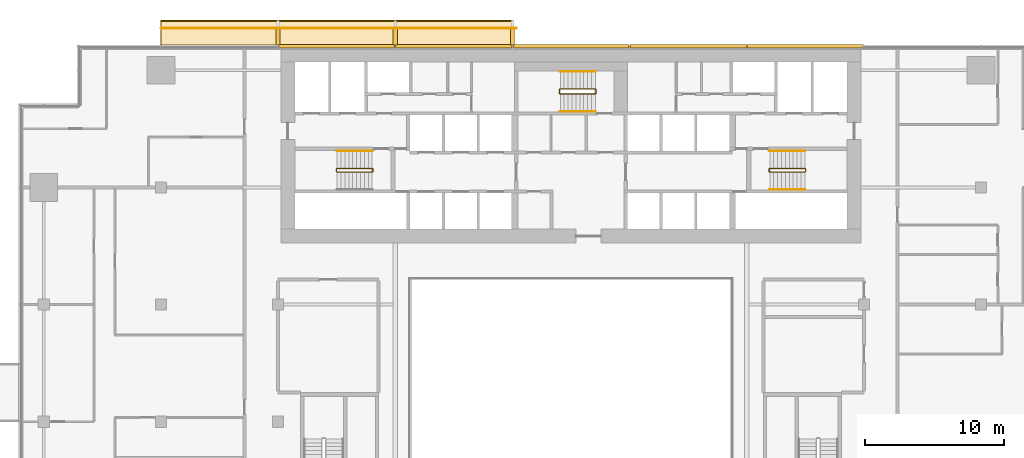
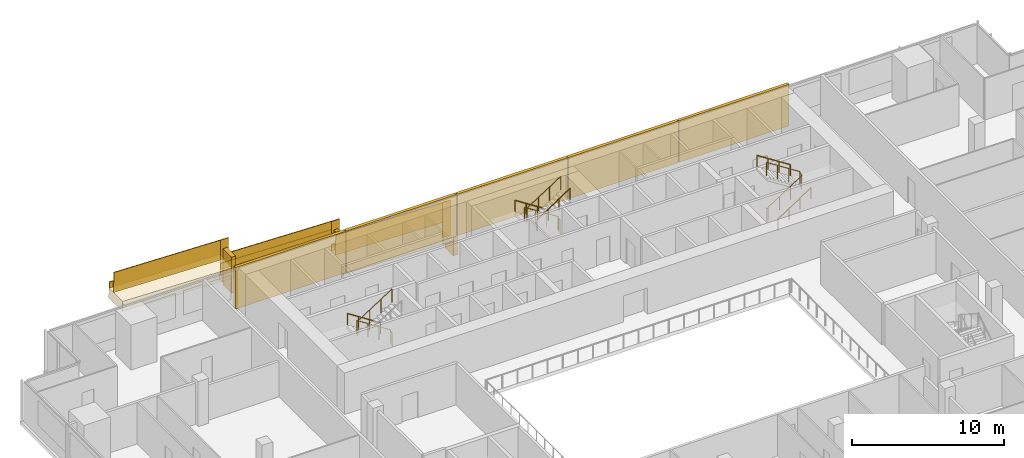
# One storey, part 26 of 27: 14 coverings, 14 railings.
"""IFC4 building model written with IfcOpenShell, lengths in metres."""

from ifc_helpers import new_model, si_unit, direction, frame, origin, origin_2d, place, context, subcontext, project, spatial, polyline, rectangle, circle, outline, extrude, material, layer, layer_set, type_object, element, save


model = new_model("IFC4")

# Units and contexts
model_context = context("Model", 3, precision=1e-05, world=origin(), true_north=direction((0.0, 1.0)))
body_context = subcontext(model_context, "Body", "Model", "MODEL_VIEW")
ifc_project = project(units=[si_unit("LENGTHUNIT", "METRE"), si_unit("AREAUNIT", "SQUARE_METRE"), si_unit("VOLUMEUNIT", "CUBIC_METRE"), si_unit("PLANEANGLEUNIT", "RADIAN"), si_unit("MASSUNIT", "GRAM", prefix="KILO")], contexts=[model_context])

# Site, building, storey
site_placement = place(None, origin())
site = spatial("IfcSite", under=ifc_project, at=site_placement, CompositionType="ELEMENT")
building_placement = place(site_placement, origin())
building = spatial("IfcBuilding", under=site, at=building_placement, Name="Saffron Gate Tower", CompositionType="ELEMENT")
storey_placement = place(building_placement, frame((0.0, 0.0, 124.050048828125)))
storey = spatial("IfcBuildingStorey", under=building, at=storey_placement, Name="L29", CompositionType="ELEMENT", Elevation=124.050048828125)

# Coverings
ifc_material_1 = material(Name="Ceramic-printed bronze insulated panel")
ifc_layer_1 = layer(ifc_material_1, 0.239990234375)
ifc_layer_set_1 = layer_set([ifc_layer_1], Name="CLD2 ceramic-printed cladding panel 240")
covering_type_1 = type_object("IfcCoveringType", Name="CLD2 ceramic-printed cladding panel 240", PredefinedType="CLADDING", material=ifc_layer_set_1)
covering_1_placement = place(storey_placement, origin())
element("IfcCovering", 1, at=covering_1_placement, inside=storey, type_object=covering_type_1, Name="CLADDING ceramic-printed panel", PredefinedType="CLADDING", context=body_context, shape_type="SweptSolid", body=[
    extrude(outline(polyline([(108.56494140625, 75.639892578125), (100.235107421875, 75.639892578125), (100.235107421875, 75.39990234375), (108.56494140625, 75.39990234375), (108.56494140625, 75.639892578125)])), origin(), (0.0, 0.0, 1.0), 3.320068359375),
])
covering_2_placement = place(storey_placement, origin())
element("IfcCovering", 2, at=covering_2_placement, inside=storey, type_object=covering_type_1, Name="CLADDING ceramic-printed panel", PredefinedType="CLADDING", context=body_context, shape_type="SweptSolid", body=[
    extrude(outline(polyline([(100.1650390625, 75.639892578125), (91.8349609375, 75.639892578125), (91.8349609375, 75.39990234375), (100.1650390625, 75.39990234375), (100.1650390625, 75.639892578125)])), origin(), (0.0, 0.0, 1.0), 3.320068359375),
])
covering_3_placement = place(storey_placement, origin())
element("IfcCovering", 3, at=covering_3_placement, inside=storey, type_object=covering_type_1, Name="CLADDING ceramic-printed panel", PredefinedType="CLADDING", context=body_context, shape_type="SweptSolid", body=[
    extrude(outline(polyline([(91.764892578125, 75.639892578125), (83.43505859375, 75.639892578125), (83.43505859375, 75.39990234375), (91.764892578125, 75.39990234375), (91.764892578125, 75.639892578125)])), origin(), (0.0, 0.0, 1.0), 3.320068359375),
])
covering_4_placement = place(storey_placement, origin())
element("IfcCovering", 4, at=covering_4_placement, inside=storey, type_object=covering_type_1, Name="CLADDING ceramic-printed panel", PredefinedType="CLADDING", context=body_context, shape_type="SweptSolid", body=[
    extrude(outline(polyline([(83.364990234375, 75.639892578125), (75.034912109375, 75.639892578125), (75.034912109375, 75.39990234375), (83.364990234375, 75.39990234375), (83.364990234375, 75.639892578125)])), origin(), (0.0, 0.0, 1.0), 3.320068359375),
])
covering_5_placement = place(storey_placement, origin())
element("IfcCovering", 5, at=covering_5_placement, inside=storey, type_object=covering_type_1, Name="CLADDING ceramic-printed panel", PredefinedType="CLADDING", context=body_context, shape_type="SweptSolid", body=[
    extrude(outline(polyline([(74.965087890625, 75.639892578125), (66.635009765625, 75.639892578125), (66.635009765625, 75.39990234375), (74.965087890625, 75.39990234375), (74.965087890625, 75.639892578125)])), origin(), (0.0, 0.0, 1.0), 3.320068359375),
])

# Railings
ifc_material_2 = material(Name="Stainless steel and laminated glass", Category="steel")
railing_type_1 = type_object("IfcRailingType", Name="CR1 Stair guard 1100", PredefinedType="GUARDRAIL", material=ifc_material_2)
railing_1_placement = place(storey_placement, frame((73.39990234375, 66.550048828125, 0.0)))
element("IfcRailing", 6, at=railing_1_placement, inside=storey, type_object=railing_type_1, Name="L29 ST-A stair guard 1", PredefinedType="GUARDRAIL", context=body_context, shape_type="SweptSolid", body=[
    extrude(circle(Radius=0.02392578125, at=origin_2d()), frame((0.0, 0.0, 1.076171875), z_axis=(0.0, 1.0, 0.0), x_axis=(-1.0, 0.0, 0.0)), (0.0, 0.0, 1.0), 0.14990234375),
    extrude(circle(Radius=0.02392578125, at=origin_2d()), frame((0.0, 0.14990234375, 1.076171875), z_axis=(-0.257669022063, 0.258932105505, 0.930892496375), x_axis=(-0.708833529934, -0.705375805398, 0.0)), (0.0, 0.0, 1.0), 0.193359375),
    extrude(circle(Radius=0.02392578125, at=origin_2d()), frame((-0.0498046875, 0.199951171875, 1.255859375), z_axis=(-0.841162588446, 0.0, 0.540782303519), x_axis=(0.0, -1.0, 0.0)), (0.0, 0.0, 1.0), 2.995849609375),
    extrude(circle(Radius=0.02392578125, at=origin_2d()), frame((-2.56982421875, 0.199951171875, 2.8759765625), z_axis=(-0.707106781187, -0.707106781187, 0.0), x_axis=(0.707106781187, -0.707106781187, 0.0)), (0.0, 0.0, 1.0), 0.07080078125),
    extrude(circle(Radius=0.02392578125, at=origin_2d()), frame((-2.619873046875, 0.14990234375, 2.8759765625), z_axis=(0.0, -1.0, 0.0), x_axis=(1.0, 0.0, 0.0)), (0.0, 0.0, 1.0), 0.14990234375),
    extrude(circle(Radius=0.02392578125, at=origin_2d()), frame((-2.619873046875, 0.0, 2.8759765625), z_axis=(0.258847668887, -0.258847668887, 0.930588936439), x_axis=(0.707106781187, 0.707106781187, 0.0)), (0.0, 0.0, 1.0), 0.193359375),
    extrude(circle(Radius=0.02392578125, at=origin_2d()), frame((-2.56982421875, -0.050048828125, 3.05615234375), z_axis=(0.841199657755, 0.0, 0.540724639528), x_axis=(0.0, 1.0, 0.0)), (0.0, 0.0, 1.0), 2.995849609375),
    extrude(circle(Radius=0.02099609375, at=origin_2d()), origin(), (0.0, 0.0, 1.0), 1.052001953125),
    extrude(circle(Radius=0.02099609375, at=origin_2d()), frame((0.0, 0.14990234375, 0.0)), (0.0, 0.0, 1.0), 1.052001953125),
    extrude(circle(Radius=0.02099609375, at=origin_2d()), frame((-0.0498046875, 0.199951171875, 0.179931640625)), (0.0, 0.0, 1.0), 1.052001953125),
    extrude(circle(Radius=0.02099609375, at=origin_2d()), frame((-0.889892578125, 0.199951171875, 0.719970703125)), (0.0, 0.0, 1.0), 1.052001953125),
    extrude(circle(Radius=0.02099609375, at=origin_2d()), frame((-1.729736328125, 0.199951171875, 1.260009765625)), (0.0, 0.0, 1.0), 1.052001953125),
    extrude(circle(Radius=0.02099609375, at=origin_2d()), frame((-2.56982421875, 0.199951171875, 1.800048828125)), (0.0, 0.0, 1.0), 1.052001953125),
    extrude(circle(Radius=0.02099609375, at=origin_2d()), frame((-2.619873046875, 0.14990234375, 1.800048828125)), (0.0, 0.0, 1.0), 1.052001953125),
    extrude(circle(Radius=0.02099609375, at=origin_2d()), frame((-2.619873046875, 0.0, 1.800048828125)), (0.0, 0.0, 1.0), 1.052001953125),
    extrude(circle(Radius=0.02099609375, at=origin_2d()), frame((-2.56982421875, -0.050048828125, 1.97998046875)), (0.0, 0.0, 1.0), 1.052001953125),
    extrude(circle(Radius=0.02099609375, at=origin_2d()), frame((-1.729736328125, -0.050048828125, 2.52001953125)), (0.0, 0.0, 1.0), 1.052001953125),
    extrude(circle(Radius=0.02099609375, at=origin_2d()), frame((-0.889892578125, -0.050048828125, 3.059814453125)), (0.0, 0.0, 1.0), 1.052001953125),
    extrude(circle(Radius=0.02099609375, at=origin_2d()), frame((-0.0498046875, -0.050048828125, 3.599853515625)), (0.0, 0.0, 1.0), 1.052001953125),
])
railing_2_placement = place(storey_placement, frame((101.800048828125, 66.699951171875, 0.0)))
element("IfcRailing", 7, at=railing_2_placement, inside=storey, type_object=railing_type_1, Name="L29 ST-B stair guard 1", PredefinedType="GUARDRAIL", context=body_context, shape_type="SweptSolid", body=[
    extrude(circle(Radius=0.02392578125, at=origin_2d()), frame((0.0, 0.0, 1.076171875), z_axis=(0.0, -1.0, 0.0), x_axis=(1.0, 0.0, 0.0)), (0.0, 0.0, 1.0), 0.14990234375),
    extrude(circle(Radius=0.02392578125, at=origin_2d()), frame((0.0, -0.14990234375, 1.076171875), z_axis=(0.258847668887, -0.258847668887, 0.930588936439), x_axis=(0.707106781187, 0.707106781187, 0.0)), (0.0, 0.0, 1.0), 0.193359375),
    extrude(circle(Radius=0.02392578125, at=origin_2d()), frame((0.050048828125, -0.199951171875, 1.255859375), z_axis=(0.841162588446, 0.0, 0.540782303519), x_axis=(0.0, 1.0, 0.0)), (0.0, 0.0, 1.0), 2.995849609375),
    extrude(circle(Radius=0.02392578125, at=origin_2d()), frame((2.570068359375, -0.199951171875, 2.8759765625), z_axis=(0.705375805398, 0.708833529934, 0.0), x_axis=(-0.708833529934, 0.705375805398, 0.0)), (0.0, 0.0, 1.0), 0.070556640625),
    extrude(circle(Radius=0.02392578125, at=origin_2d()), frame((2.619873046875, -0.14990234375, 2.8759765625), z_axis=(0.0, 1.0, 0.0), x_axis=(-1.0, 0.0, 0.0)), (0.0, 0.0, 1.0), 0.14990234375),
    extrude(circle(Radius=0.02392578125, at=origin_2d()), frame((2.619873046875, 0.0, 2.8759765625), z_axis=(-0.257669022063, 0.258932105505, 0.930892496375), x_axis=(-0.708833529934, -0.705375805398, 0.0)), (0.0, 0.0, 1.0), 0.193359375),
    extrude(circle(Radius=0.02392578125, at=origin_2d()), frame((2.570068359375, 0.050048828125, 3.05615234375), z_axis=(-0.841199657755, 0.0, 0.540724639528), x_axis=(0.0, -1.0, 0.0)), (0.0, 0.0, 1.0), 2.995849609375),
    extrude(circle(Radius=0.02099609375, at=origin_2d()), origin(), (0.0, 0.0, 1.0), 1.052001953125),
    extrude(circle(Radius=0.02099609375, at=origin_2d()), frame((0.0, -0.14990234375, 0.0)), (0.0, 0.0, 1.0), 1.052001953125),
    extrude(circle(Radius=0.02099609375, at=origin_2d()), frame((0.050048828125, -0.199951171875, 0.179931640625)), (0.0, 0.0, 1.0), 1.052001953125),
    extrude(circle(Radius=0.02099609375, at=origin_2d()), frame((0.89013671875, -0.199951171875, 0.719970703125)), (0.0, 0.0, 1.0), 1.052001953125),
    extrude(circle(Radius=0.02099609375, at=origin_2d()), frame((1.72998046875, -0.199951171875, 1.260009765625)), (0.0, 0.0, 1.0), 1.052001953125),
    extrude(circle(Radius=0.02099609375, at=origin_2d()), frame((2.570068359375, -0.199951171875, 1.800048828125)), (0.0, 0.0, 1.0), 1.052001953125),
    extrude(circle(Radius=0.02099609375, at=origin_2d()), frame((2.619873046875, -0.14990234375, 1.800048828125)), (0.0, 0.0, 1.0), 1.052001953125),
    extrude(circle(Radius=0.02099609375, at=origin_2d()), frame((2.619873046875, 0.0, 1.800048828125)), (0.0, 0.0, 1.0), 1.052001953125),
    extrude(circle(Radius=0.02099609375, at=origin_2d()), frame((2.570068359375, 0.050048828125, 1.97998046875)), (0.0, 0.0, 1.0), 1.052001953125),
    extrude(circle(Radius=0.02099609375, at=origin_2d()), frame((1.72998046875, 0.050048828125, 2.52001953125)), (0.0, 0.0, 1.0), 1.052001953125),
    extrude(circle(Radius=0.02099609375, at=origin_2d()), frame((0.89013671875, 0.050048828125, 3.059814453125)), (0.0, 0.0, 1.0), 1.052001953125),
    extrude(circle(Radius=0.02099609375, at=origin_2d()), frame((0.050048828125, 0.050048828125, 3.599853515625)), (0.0, 0.0, 1.0), 1.052001953125),
])
railing_3_placement = place(storey_placement, frame((89.39990234375, 72.14990234375, 0.0)))
element("IfcRailing", 8, at=railing_3_placement, inside=storey, type_object=railing_type_1, Name="L29 ST-C stair guard 1", PredefinedType="GUARDRAIL", context=body_context, shape_type="SweptSolid", body=[
    extrude(circle(Radius=0.02392578125, at=origin_2d()), frame((0.0, 0.0, 1.076171875), z_axis=(0.0, 1.0, 0.0), x_axis=(-1.0, 0.0, 0.0)), (0.0, 0.0, 1.0), 0.25),
    extrude(circle(Radius=0.02392578125, at=origin_2d()), frame((0.0, 0.25, 1.076171875), z_axis=(-0.257669022063, 0.258932105505, 0.930892496375), x_axis=(-0.708833529934, -0.705375805398, 0.0)), (0.0, 0.0, 1.0), 0.193359375),
    extrude(circle(Radius=0.02392578125, at=origin_2d()), frame((-0.0498046875, 0.300048828125, 1.255859375), z_axis=(-0.841162588446, 0.0, 0.540782303519), x_axis=(0.0, -1.0, 0.0)), (0.0, 0.0, 1.0), 2.995849609375),
    extrude(circle(Radius=0.02392578125, at=origin_2d()), frame((-2.56982421875, 0.300048828125, 2.8759765625), z_axis=(-0.707106781187, -0.707106781187, 0.0), x_axis=(0.707106781187, -0.707106781187, 0.0)), (0.0, 0.0, 1.0), 0.07080078125),
    extrude(circle(Radius=0.02392578125, at=origin_2d()), frame((-2.619873046875, 0.25, 2.8759765625), z_axis=(0.0, -1.0, 0.0), x_axis=(1.0, 0.0, 0.0)), (0.0, 0.0, 1.0), 0.25),
    extrude(circle(Radius=0.02392578125, at=origin_2d()), frame((-2.619873046875, 0.0, 2.8759765625), z_axis=(0.258932105505, -0.257669022063, 0.930892496375), x_axis=(0.705375805398, 0.708833529934, 0.0)), (0.0, 0.0, 1.0), 0.193359375),
    extrude(circle(Radius=0.02392578125, at=origin_2d()), frame((-2.56982421875, -0.0498046875, 3.05615234375), z_axis=(0.841199657755, 0.0, 0.540724639528), x_axis=(0.0, 1.0, 0.0)), (0.0, 0.0, 1.0), 2.995849609375),
    extrude(circle(Radius=0.02099609375, at=origin_2d()), origin(), (0.0, 0.0, 1.0), 1.052001953125),
    extrude(circle(Radius=0.02099609375, at=origin_2d()), frame((0.0, 0.25, 0.0)), (0.0, 0.0, 1.0), 1.052001953125),
    extrude(circle(Radius=0.02099609375, at=origin_2d()), frame((-0.0498046875, 0.300048828125, 0.179931640625)), (0.0, 0.0, 1.0), 1.052001953125),
    extrude(circle(Radius=0.02099609375, at=origin_2d()), frame((-0.889892578125, 0.300048828125, 0.719970703125)), (0.0, 0.0, 1.0), 1.052001953125),
    extrude(circle(Radius=0.02099609375, at=origin_2d()), frame((-1.729736328125, 0.300048828125, 1.260009765625)), (0.0, 0.0, 1.0), 1.052001953125),
    extrude(circle(Radius=0.02099609375, at=origin_2d()), frame((-2.56982421875, 0.300048828125, 1.800048828125)), (0.0, 0.0, 1.0), 1.052001953125),
    extrude(circle(Radius=0.02099609375, at=origin_2d()), frame((-2.619873046875, 0.25, 1.800048828125)), (0.0, 0.0, 1.0), 1.052001953125),
    extrude(circle(Radius=0.02099609375, at=origin_2d()), frame((-2.619873046875, 0.0, 1.800048828125)), (0.0, 0.0, 1.0), 1.052001953125),
    extrude(circle(Radius=0.02099609375, at=origin_2d()), frame((-2.56982421875, -0.0498046875, 1.97998046875)), (0.0, 0.0, 1.0), 1.052001953125),
    extrude(circle(Radius=0.02099609375, at=origin_2d()), frame((-1.729736328125, -0.0498046875, 2.52001953125)), (0.0, 0.0, 1.0), 1.052001953125),
    extrude(circle(Radius=0.02099609375, at=origin_2d()), frame((-0.889892578125, -0.0498046875, 3.059814453125)), (0.0, 0.0, 1.0), 1.052001953125),
    extrude(circle(Radius=0.02099609375, at=origin_2d()), frame((-0.0498046875, -0.0498046875, 3.599853515625)), (0.0, 0.0, 1.0), 1.052001953125),
])
ifc_material_3 = material(Name="Stainless steel", Category="steel")
railing_type_2 = type_object("IfcRailingType", Name="CR2 Stair handrail 900", PredefinedType="HANDRAIL", material=ifc_material_3)
railing_4_placement = place(storey_placement, frame((73.35009765625, 68.0, 0.179931640625)))
element("IfcRailing", 9, at=railing_4_placement, inside=storey, type_object=railing_type_2, Name="L29 ST-A stair handrail 1", PredefinedType="HANDRAIL", context=body_context, shape_type="SweptSolid", body=[
    extrude(circle(Radius=0.02392578125, at=origin_2d()), frame((0.0, 0.0, 0.8759765625), z_axis=(-0.841162588446, 0.0, 0.540782303519), x_axis=(0.0, -1.0, 0.0)), (0.0, 0.0, 1.0), 2.995849609375),
    extrude(circle(Radius=0.02099609375, at=origin_2d()), origin(), (0.0, 0.0, 1.0), 0.851806640625),
    extrude(circle(Radius=0.02099609375, at=origin_2d()), frame((-0.840087890625, 0.0, 0.5400390625)), (0.0, 0.0, 1.0), 0.851806640625),
    extrude(circle(Radius=0.02099609375, at=origin_2d()), frame((-1.679931640625, 0.0, 1.080078125)), (0.0, 0.0, 1.0), 0.851806640625),
    extrude(circle(Radius=0.02099609375, at=origin_2d()), frame((-2.52001953125, 0.0, 1.6201171875)), (0.0, 0.0, 1.0), 0.851806640625),
])
railing_5_placement = place(storey_placement, frame((101.85009765625, 65.25, 0.179931640625)))
element("IfcRailing", 10, at=railing_5_placement, inside=storey, type_object=railing_type_2, Name="L29 ST-B stair handrail 1", PredefinedType="HANDRAIL", context=body_context, shape_type="SweptSolid", body=[
    extrude(circle(Radius=0.02392578125, at=origin_2d()), frame((0.0, 0.0, 0.8759765625), z_axis=(0.841162588446, 0.0, 0.540782303519), x_axis=(0.0, 1.0, 0.0)), (0.0, 0.0, 1.0), 2.995849609375),
    extrude(circle(Radius=0.02099609375, at=origin_2d()), origin(), (0.0, 0.0, 1.0), 0.851806640625),
    extrude(circle(Radius=0.02099609375, at=origin_2d()), frame((0.840087890625, 0.0, 0.5400390625)), (0.0, 0.0, 1.0), 0.851806640625),
    extrude(circle(Radius=0.02099609375, at=origin_2d()), frame((1.679931640625, 0.0, 1.080078125)), (0.0, 0.0, 1.0), 0.851806640625),
    extrude(circle(Radius=0.02099609375, at=origin_2d()), frame((2.52001953125, 0.0, 1.6201171875)), (0.0, 0.0, 1.0), 0.851806640625),
])
railing_6_placement = place(storey_placement, frame((104.3701171875, 68.0, 1.97998046875)))
element("IfcRailing", 11, at=railing_6_placement, inside=storey, type_object=railing_type_2, Name="L29 ST-B stair handrail 2", PredefinedType="HANDRAIL", context=body_context, shape_type="SweptSolid", body=[
    extrude(circle(Radius=0.02392578125, at=origin_2d()), frame((0.0, 0.0, 0.8759765625), z_axis=(-0.841199657755, 0.0, 0.540724639528), x_axis=(0.0, -1.0, 0.0)), (0.0, 0.0, 1.0), 2.995849609375),
    extrude(circle(Radius=0.02099609375, at=origin_2d()), origin(), (0.0, 0.0, 1.0), 0.851806640625),
    extrude(circle(Radius=0.02099609375, at=origin_2d()), frame((-0.840087890625, 0.0, 0.5400390625)), (0.0, 0.0, 1.0), 0.851806640625),
    extrude(circle(Radius=0.02099609375, at=origin_2d()), frame((-1.679931640625, 0.0, 1.079833984375)), (0.0, 0.0, 1.0), 0.851806640625),
    extrude(circle(Radius=0.02099609375, at=origin_2d()), frame((-2.52001953125, 0.0, 1.619873046875)), (0.0, 0.0, 1.0), 0.851806640625),
])
railing_7_placement = place(storey_placement, frame((89.35009765625, 73.699951171875, 0.179931640625)))
element("IfcRailing", 12, at=railing_7_placement, inside=storey, type_object=railing_type_2, Name="L29 ST-C stair handrail 1", PredefinedType="HANDRAIL", context=body_context, shape_type="SweptSolid", body=[
    extrude(circle(Radius=0.02392578125, at=origin_2d()), frame((0.0, 0.0, 0.8759765625), z_axis=(-0.841162588446, 0.0, 0.540782303519), x_axis=(0.0, -1.0, 0.0)), (0.0, 0.0, 1.0), 2.995849609375),
    extrude(circle(Radius=0.02099609375, at=origin_2d()), origin(), (0.0, 0.0, 1.0), 0.851806640625),
    extrude(circle(Radius=0.02099609375, at=origin_2d()), frame((-0.840087890625, 0.0, 0.5400390625)), (0.0, 0.0, 1.0), 0.851806640625),
    extrude(circle(Radius=0.02099609375, at=origin_2d()), frame((-1.679931640625, 0.0, 1.080078125)), (0.0, 0.0, 1.0), 0.851806640625),
    extrude(circle(Radius=0.02099609375, at=origin_2d()), frame((-2.52001953125, 0.0, 1.6201171875)), (0.0, 0.0, 1.0), 0.851806640625),
])
railing_8_placement = place(storey_placement, frame((86.830078125, 70.85009765625, 1.97998046875)))
element("IfcRailing", 13, at=railing_8_placement, inside=storey, type_object=railing_type_2, Name="L29 ST-C stair handrail 2", PredefinedType="HANDRAIL", context=body_context, shape_type="SweptSolid", body=[
    extrude(circle(Radius=0.02392578125, at=origin_2d()), frame((0.0, 0.0, 0.8759765625), z_axis=(0.841199657755, 0.0, 0.540724639528), x_axis=(0.0, 1.0, 0.0)), (0.0, 0.0, 1.0), 2.995849609375),
    extrude(circle(Radius=0.02099609375, at=origin_2d()), origin(), (0.0, 0.0, 1.0), 0.851806640625),
    extrude(circle(Radius=0.02099609375, at=origin_2d()), frame((0.840087890625, 0.0, 0.5400390625)), (0.0, 0.0, 1.0), 0.851806640625),
    extrude(circle(Radius=0.02099609375, at=origin_2d()), frame((1.679931640625, 0.0, 1.079833984375)), (0.0, 0.0, 1.0), 0.851806640625),
    extrude(circle(Radius=0.02099609375, at=origin_2d()), frame((2.52001953125, 0.0, 1.619873046875)), (0.0, 0.0, 1.0), 0.851806640625),
])

# Coverings
ifc_material_4 = material(Name="Timber, thermally modified ash", Category="wood")
ifc_layer_2 = layer(ifc_material_4, 0.800048828125)
ifc_layer_set_2 = layer_set([ifc_layer_2], Name="LD1 ledge timber")
covering_type_2 = type_object("IfcCoveringType", Name="LD1 ledge timber", PredefinedType="CLADDING", material=ifc_layer_set_2)
for number, where, z_axis, x_axis, name in (
    (14, (83.39990234375, 75.60009765625, 0.32861328125), (0.028791175352, 0.0, 0.999585448184), (-0.999585448184, 0.0, 0.028791175352), "LEDGE"),
    (15, (75.0, 75.60009765625, 1.77099609375), (0.028791175352, 0.0, 0.999585448184), (-0.999585448184, 0.0, 0.028791175352), "LEDGE"),
):
    element("IfcCovering", number, at=place(storey_placement, frame(where, z_axis=z_axis, x_axis=x_axis)), inside=storey, type_object=covering_type_2, Name=name, PredefinedType="CLADDING", context=body_context, shape_type="SweptSolid", body=[
        extrude(outline(polyline([(0.0, 0.0), (8.403385982666892, 0.0), (8.403385982666892, -1.7998046875), (0.0, -1.7998046875), (0.0, 0.0)])), origin(), (0.0, 0.0, -1.0), 0.800048828125),
    ])
covering_6_placement = place(storey_placement, frame((66.60009765625, 75.60009765625, 3.213134765625), z_axis=(0.028819366951, 0.0, 0.999584635781), x_axis=(-0.999584635781, 0.0, 0.028819366951)))
element("IfcCovering", 16, at=covering_6_placement, inside=storey, type_object=covering_type_2, Name="LEDGE", PredefinedType="CLADDING", context=body_context, shape_type="SweptSolid", body=[
    extrude(outline(polyline([(0.0, 0.0), (8.403637054520734, 0.0), (8.403637054520734, -1.7998046874999998), (0.0, -1.7998046874999998), (0.0, 0.0)])), origin(), (0.0, 0.0, -1.0), 0.800048828125),
])
ifc_layer_3 = layer(ifc_material_4, 0.080078125)
ifc_layer_set_3 = layer_set([ifc_layer_3], Name="LD2 ledge planter trough")
covering_type_3 = type_object("IfcCoveringType", Name="LD2 ledge planter trough", PredefinedType="CLADDING", material=ifc_layer_set_3)
for number, where, z_axis, x_axis, name in (
    (17, (83.39990234375, 77.39990234375, 0.32861328125), (0.0, 1.0, 0.0), (-0.999585448184, 0.0, 0.028791175352), "LEDGE planter trough"),
    (18, (75.0, 77.39990234375, 1.77099609375), (0.0, 1.0, 0.0), (-0.999585448184, 0.0, 0.028791175352), "LEDGE planter trough"),
):
    element("IfcCovering", number, at=place(storey_placement, frame(where, z_axis=z_axis, x_axis=x_axis)), inside=storey, type_object=covering_type_3, Name=name, PredefinedType="CLADDING", context=body_context, shape_type="SweptSolid", body=[
        extrude(outline(polyline([(0.0, 0.0), (8.403385982666892, 0.0), (8.417781570342743, 0.49979272409216496), (0.014395587675851172, 0.4997927240921649), (0.0, 0.0)])), origin(), (0.0, 0.0, -1.0), 0.080078125),
    ])
covering_7_placement = place(storey_placement, frame((66.60009765625, 77.39990234375, 3.213134765625), z_axis=(0.0, 1.0, 0.0), x_axis=(-0.999584635781, 0.0, 0.028819366951)))
element("IfcCovering", 19, at=covering_7_placement, inside=storey, type_object=covering_type_3, Name="LEDGE planter trough", PredefinedType="CLADDING", context=body_context, shape_type="SweptSolid", body=[
    extrude(outline(polyline([(0.0, 0.0), (8.403637054520734, 2.7755575615628914e-17), (8.418046737996397, 0.49979231789027256), (0.014409683475663392, 0.4997923178902725), (0.0, 0.0)])), origin(), (0.0, 0.0, -1.0), 0.080078125),
])
ifc_layer_4 = layer(ifc_material_4, 0.300048828125)
ifc_layer_set_4 = layer_set([ifc_layer_4], Name="LD3 ledge riser fin")
covering_type_4 = type_object("IfcCoveringType", Name="LD3 ledge riser fin", PredefinedType="CLADDING", material=ifc_layer_set_4)
for number, where, z_axis, x_axis, name in (
    (20, (83.39990234375, 76.159912109375, -1.671875), (0.0, 0.0, 1.0), (-1.0, 0.0, 0.0), "LEDGE riser fin"),
    (21, (75.0, 76.159912109375, -0.2294921875), (0.0, 0.0, 1.0), (-1.0, 0.0, 0.0), "LEDGE riser fin"),
    (22, (66.60009765625, 76.159912109375, 1.212890625), (0.0, 0.0, 1.0), (-1.0, 0.0, 0.0), "LEDGE riser fin"),
):
    element("IfcCovering", number, at=place(storey_placement, frame(where, z_axis=z_axis, x_axis=x_axis)), inside=storey, type_object=covering_type_4, Name=name, PredefinedType="CLADDING", context=body_context, shape_type="SweptSolid", body=[
        extrude(rectangle(XDim=0.300048828125, YDim=1.1201171875, at=origin_2d()), origin(), (0.0, 0.0, 1.0), 2.900390625),
    ])

# Railings
railing_type_3 = type_object("IfcRailingType", Name="LG1 ledge balustrade", PredefinedType="BALUSTRADE", material=ifc_material_4)
railing_9_placement = place(storey_placement, frame((83.39990234375, 76.800048828125, 0.32861328125)))
element("IfcRailing", 23, at=railing_9_placement, inside=storey, type_object=railing_type_3, Name="LEDGE BALUSTRADE", PredefinedType="BALUSTRADE", context=body_context, shape_type="SweptSolid", body=[
    extrude(rectangle(XDim=0.06005859375, YDim=1.60009765625, at=origin_2d()), frame((0.0, 0.0, 0.800048828125), z_axis=(-0.999585448184, 0.0, 0.028791175352), x_axis=(0.0, -1.0, 0.0)), (0.0, 0.0, 1.0), 8.4033203125),
])
railing_10_placement = place(storey_placement, frame((83.699951171875, 76.800048828125, -0.871826171875)))
element("IfcRailing", 24, at=railing_10_placement, inside=storey, type_object=railing_type_3, Name="LEDGE BALUSTRADE", PredefinedType="BALUSTRADE", context=body_context, shape_type="SweptSolid", body=[
    extrude(rectangle(XDim=0.06005859375, YDim=2.80029296875, at=origin_2d()), frame((0.0, 0.0, 1.400146484375), z_axis=(-1.0, 0.0, 0.0), x_axis=(0.0, -1.0, 0.0)), (0.0, 0.0, 1.0), 0.599853515625),
])
railing_11_placement = place(storey_placement, frame((75.0, 76.800048828125, 1.77099609375)))
element("IfcRailing", 25, at=railing_11_placement, inside=storey, type_object=railing_type_3, Name="LEDGE BALUSTRADE", PredefinedType="BALUSTRADE", context=body_context, shape_type="SweptSolid", body=[
    extrude(rectangle(XDim=0.06005859375, YDim=1.60009765625, at=origin_2d()), frame((0.0, 0.0, 0.800048828125), z_axis=(-0.999585448184, 0.0, 0.028791175352), x_axis=(0.0, -1.0, 0.0)), (0.0, 0.0, 1.0), 8.4033203125),
])
railing_12_placement = place(storey_placement, frame((75.300048828125, 76.800048828125, 0.570556640625)))
element("IfcRailing", 26, at=railing_12_placement, inside=storey, type_object=railing_type_3, Name="LEDGE BALUSTRADE", PredefinedType="BALUSTRADE", context=body_context, shape_type="SweptSolid", body=[
    extrude(rectangle(XDim=0.06005859375, YDim=2.80029296875, at=origin_2d()), frame((0.0, 0.0, 1.400146484375), z_axis=(-1.0, 0.0, 0.0), x_axis=(0.0, -1.0, 0.0)), (0.0, 0.0, 1.0), 0.60009765625),
])
railing_13_placement = place(storey_placement, frame((66.60009765625, 76.800048828125, 3.213134765625)))
element("IfcRailing", 27, at=railing_13_placement, inside=storey, type_object=railing_type_3, Name="LEDGE BALUSTRADE", PredefinedType="BALUSTRADE", context=body_context, shape_type="SweptSolid", body=[
    extrude(rectangle(XDim=0.06005859375, YDim=1.60009765625, at=origin_2d()), frame((0.0, 0.0, 0.800048828125), z_axis=(-0.999584635781, 0.0, 0.028819366951), x_axis=(0.0, -1.0, 0.0)), (0.0, 0.0, 1.0), 8.403564453125),
])
railing_14_placement = place(storey_placement, frame((66.89990234375, 76.800048828125, 2.012939453125)))
element("IfcRailing", 28, at=railing_14_placement, inside=storey, type_object=railing_type_3, Name="LEDGE BALUSTRADE", PredefinedType="BALUSTRADE", context=body_context, shape_type="SweptSolid", body=[
    extrude(rectangle(XDim=0.06005859375, YDim=2.80029296875, at=origin_2d()), frame((0.0, 0.0, 1.400146484375), z_axis=(-1.0, 0.0, 0.0), x_axis=(0.0, -1.0, 0.0)), (0.0, 0.0, 1.0), 0.599853515625),
])

save(model, "model.ifc")
